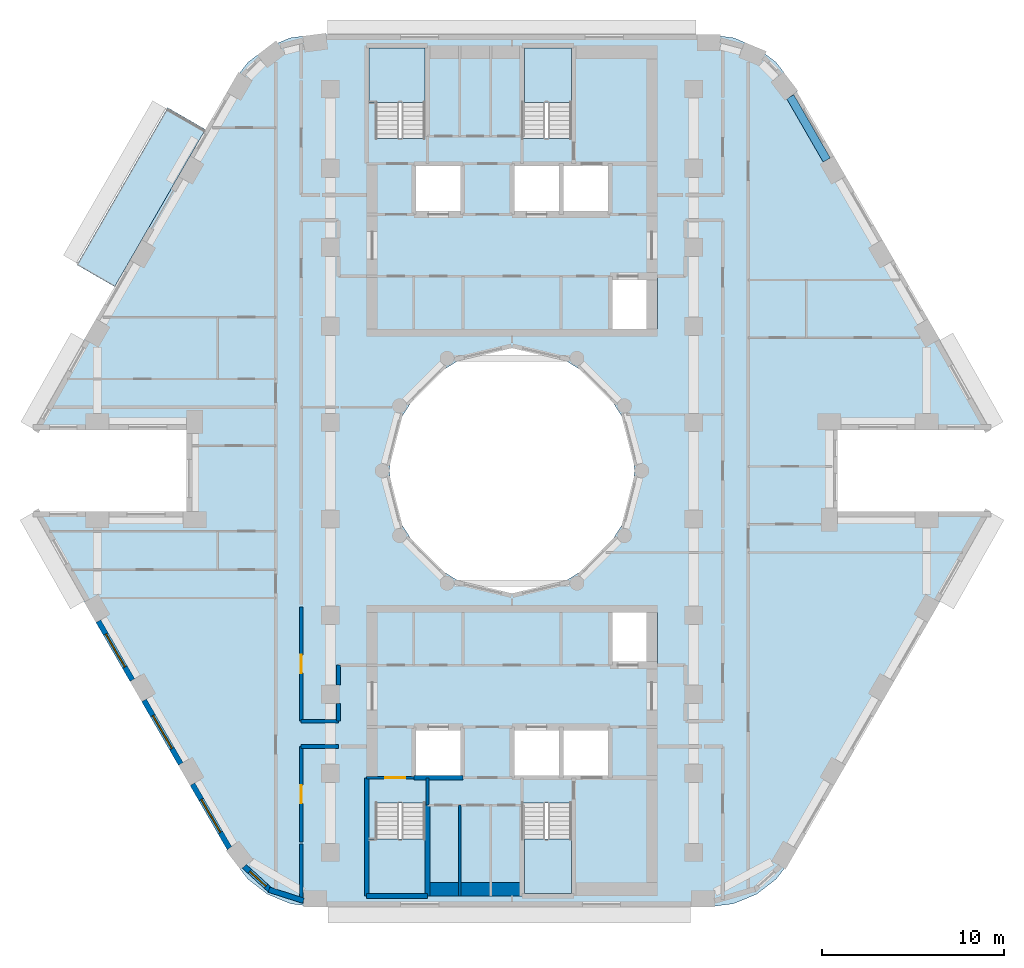
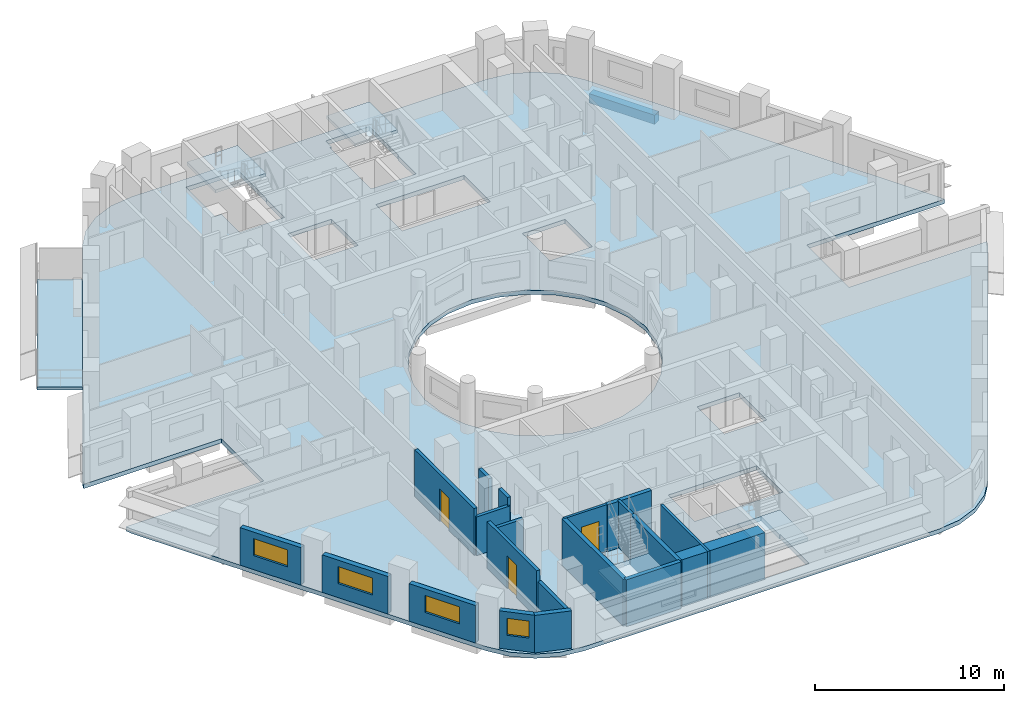
# One storey, part 2 of 13: 20 walls, 6 slabs, 4 windows, 3 doors, 1 beam, 7 openings, 4 elements without a shape of their own.
"""IFC4 building model written with IfcOpenShell, lengths in metres."""

from ifc_helpers import new_model, si_unit, direction, frame, frame_2d, origin, origin_2d, place, context, subcontext, project, spatial, polyline, rectangle, outline, extrude, material, layer, layer_set, material_profile, profile_set, type_object, element, fill, aggregate, save


model = new_model("IFC4")

# Units and contexts
model_context = context("Model", 3, precision=1e-05, world=origin(), true_north=direction((0.0, 1.0)))
body_context = subcontext(model_context, "Body", "Model", "MODEL_VIEW")
ifc_project = project(units=[si_unit("LENGTHUNIT", "METRE"), si_unit("AREAUNIT", "SQUARE_METRE"), si_unit("VOLUMEUNIT", "CUBIC_METRE"), si_unit("PLANEANGLEUNIT", "RADIAN"), si_unit("MASSUNIT", "GRAM", prefix="KILO")], contexts=[model_context])

# Site, building, storey
site_placement = place(None, origin())
site = spatial("IfcSite", under=ifc_project, at=site_placement, CompositionType="ELEMENT")
building_placement = place(site_placement, origin())
building = spatial("IfcBuilding", under=site, at=building_placement, Name="Nakaniwa Court", CompositionType="ELEMENT")
storey_placement = place(building_placement, frame((0.0, 0.0, 140.39990234375)))
storey = spatial("IfcBuildingStorey", under=building, at=storey_placement, Name="L36", CompositionType="ELEMENT", Elevation=140.39990234375)

# Beam
ifc_material_1 = material(Name="Concrete C80/100", Category="concrete")
ifc_material_profile = material_profile(ifc_material_1, rectangle(XDim=0.449951171875, YDim=0.60009765625, at=origin_2d()), Name="Concrete C80/100 RC 450x600 spandrel beam")
ifc_profile_set = profile_set([ifc_material_profile], Name="Concrete C80/100")
beam_type = type_object("IfcBeamType", Name="Concrete C80/100 RC 450x600 spandrel beam", PredefinedType="BEAM", material=ifc_profile_set)
beam_placement = place(storey_placement, frame((97.320556640625, 97.10009765625, -0.574951171875), z_axis=(-0.500018573463, 0.866014680125, 0.0), x_axis=(-0.866014680125, -0.500018573463, 0.0)))
element("IfcBeam", 1, at=beam_placement, inside=storey, type_object=beam_type, Name="SPANDREL BEAM", PredefinedType="BEAM", context=body_context, shape_type="SweptSolid", body=[
    extrude(rectangle(XDim=0.449951171875, YDim=0.60009765625, at=origin_2d()), origin(), (0.0, 0.0, 1.0), 4.020263671875),
])

# Slabs
ifc_material_2 = material(Name="Charcoal ceramic paver")
ifc_layer_1 = layer(ifc_material_2, 0.02, Name="Ceramic paver")
ifc_material_3 = material(Name="Cement sand screed")
ifc_layer_2 = layer(ifc_material_3, 0.03, Name="Falls screed")
ifc_material_4 = material(Name="Concrete C40/50", Category="concrete")
ifc_layer_3 = layer(ifc_material_4, 0.15, Name="Balcony slab")
ifc_layer_set_1 = layer_set([ifc_layer_1, ifc_layer_2, ifc_layer_3], Name="Concrete C40/50 balcony slab with ceramic paver finish")
slab_type_1 = type_object("IfcSlabType", Name="Balcony slab 200", PredefinedType="FLOOR", material=ifc_layer_set_1)
slab_1_placement = place(storey_placement, frame((0.0, 0.0, -0.25)))
element("IfcSlab", 2, at=slab_1_placement, inside=storey, type_object=slab_type_1, Name="L36 balcony 01", PredefinedType="FLOOR", context=body_context, shape_type="SweptSolid", body=[
    extrude(outline(polyline([(63.1298828125, 98.780029296875), (58.13671875, 90.1318359375), (56.058349609375, 91.331787109375), (61.051513671875, 99.97998046875), (63.1298828125, 98.780029296875)])), origin(), (0.0, 0.0, 1.0), 0.2001953125),
])
ifc_layer_4 = layer(ifc_material_1, 0.27490234375)
ifc_layer_set_2 = layer_set([ifc_layer_4], Name="Concrete C80/100")
slab_type_2 = type_object("IfcSlabType", Name="Concrete C80/100 post tensioned floor slab 275", PredefinedType="FLOOR", material=ifc_layer_set_2)
slab_2_placement = place(storey_placement, frame((0.0, 0.0, -0.27490234375)))
element("IfcSlab", 3, at=slab_2_placement, inside=storey, type_object=slab_type_2, Name="FLOOR SLAB", PredefinedType="FLOOR", context=body_context, shape_type="SweptSolid", body=[
    extrude(outline(polyline([(97.908447265625, 82.25), (106.356689453125, 82.25), (106.211669921875, 82.60009765625), (95.357421875, 101.39990234375), (94.531005859375, 102.47705078125), (93.4541015625, 103.30322265625), (92.199951171875, 103.82275390625), (90.854248046875, 104.0), (69.145751953125, 104.0), (67.800048828125, 103.82275390625), (66.5458984375, 103.30322265625), (65.468994140625, 102.47705078125), (64.642578125, 101.39990234375), (53.788330078125, 82.60009765625), (53.643310546875, 82.25), (62.091552734375, 82.25), (62.091552734375, 77.75), (53.643310546875, 77.75), (53.788330078125, 77.39990234375), (64.642578125, 58.60009765625), (65.468994140625, 57.52294921875), (66.5458984375, 56.69677734375), (67.800048828125, 56.17724609375), (69.145751953125, 56.0), (90.854248046875, 56.0), (92.199951171875, 56.17724609375), (93.4541015625, 56.69677734375), (94.531005859375, 57.52294921875), (95.357421875, 58.60009765625), (106.211669921875, 77.39990234375), (106.356689453125, 77.75), (97.908447265625, 77.75), (97.908447265625, 82.25)]), holes=[polyline([(81.501953125, 86.580810546875), (80.0, 86.75), (78.498046875, 86.580810546875), (77.0712890625, 86.08154296875), (75.79150390625, 85.27734375), (74.72265625, 84.20849609375), (73.91845703125, 82.9287109375), (73.419189453125, 81.501953125), (73.25, 80.0), (73.419189453125, 78.498046875), (73.91845703125, 77.0712890625), (74.72265625, 75.79150390625), (75.79150390625, 74.72265625), (77.0712890625, 73.91845703125), (78.498046875, 73.419189453125), (80.0, 73.25), (81.501953125, 73.419189453125), (82.9287109375, 73.91845703125), (84.20849609375, 74.72265625), (85.27734375, 75.79150390625), (86.08154296875, 77.0712890625), (86.580810546875, 78.498046875), (86.75, 80.0), (86.580810546875, 81.501953125), (86.08154296875, 82.9287109375), (85.27734375, 84.20849609375), (84.20849609375, 85.27734375), (82.9287109375, 86.08154296875), (81.501953125, 86.580810546875)]), polyline([(72.47509765625, 61.7099609375), (72.47509765625, 59.764892578125), (72.0849609375, 59.764892578125), (72.0849609375, 56.68505859375), (75.264892578125, 56.68505859375), (75.264892578125, 59.764892578125), (75.22509765625, 59.764892578125), (75.22509765625, 61.7099609375), (72.47509765625, 61.7099609375)]), polyline([(77.300048828125, 65.89990234375), (74.60009765625, 65.89990234375), (74.60009765625, 63.10009765625), (77.300048828125, 63.10009765625), (77.300048828125, 65.89990234375)]), polyline([(80.0, 65.89990234375), (80.0, 63.10009765625), (82.699951171875, 63.10009765625), (85.39990234375, 63.10009765625), (85.39990234375, 65.89990234375), (82.699951171875, 65.89990234375), (80.0, 65.89990234375)]), polyline([(77.300048828125, 96.89990234375), (74.60009765625, 96.89990234375), (74.60009765625, 94.10009765625), (77.300048828125, 94.10009765625), (77.300048828125, 96.89990234375)]), polyline([(80.0, 96.89990234375), (80.0, 94.10009765625), (82.699951171875, 94.10009765625), (85.39990234375, 94.10009765625), (85.39990234375, 96.89990234375), (82.699951171875, 96.89990234375), (80.0, 96.89990234375)]), polyline([(75.264892578125, 100.235107421875), (75.264892578125, 103.31494140625), (72.0849609375, 103.31494140625), (72.0849609375, 100.235107421875), (72.47509765625, 100.235107421875), (72.47509765625, 98.2900390625), (75.22509765625, 98.2900390625), (75.22509765625, 100.235107421875), (75.264892578125, 100.235107421875)]), polyline([(83.27490234375, 61.7099609375), (80.52490234375, 61.7099609375), (80.52490234375, 57.324951171875), (80.635009765625, 57.324951171875), (80.635009765625, 56.68505859375), (83.31494140625, 56.68505859375), (83.31494140625, 59.764892578125), (83.27490234375, 59.764892578125), (83.27490234375, 61.7099609375)]), polyline([(88.0, 72.199951171875), (85.39990234375, 72.199951171875), (85.39990234375, 69.300048828125), (88.0, 69.300048828125), (88.0, 72.199951171875)]), polyline([(88.0, 90.699951171875), (85.39990234375, 90.699951171875), (85.39990234375, 87.800048828125), (88.0, 87.800048828125), (88.0, 90.699951171875)]), polyline([(83.31494140625, 100.235107421875), (83.31494140625, 103.31494140625), (80.635009765625, 103.31494140625), (80.635009765625, 102.675048828125), (80.52490234375, 102.675048828125), (80.52490234375, 98.2900390625), (83.27490234375, 98.2900390625), (83.27490234375, 100.235107421875), (83.31494140625, 100.235107421875)])]), origin(), (0.0, 0.0, 1.0), 0.27490234375),
])

# Stair, slab
stair_type = type_object("IfcStairType", Name="Dog leg stair 1300 wide 18 risers", PredefinedType="HALF_TURN_STAIR", material=ifc_material_1)
stair_1_placement = place(storey_placement, origin())
stair_1 = element("IfcStair", 4, at=stair_1_placement, inside=storey, type_object=stair_type, Name="L36 Stair ST1", PredefinedType="HALF_TURN_STAIR")
ifc_layer_5 = layer(ifc_material_1, 0.199951171875)
ifc_layer_set_3 = layer_set([ifc_layer_5], Name="Concrete C80/100")
slab_type_3 = type_object("IfcSlabType", Name="Stair landing concrete", PredefinedType="LANDING", material=ifc_layer_set_3)
slab_3_placement = place(storey_placement, frame((0.0, 0.0, 1.4501953125)))
slab_3 = element("IfcSlab", 5, at=slab_3_placement, type_object=slab_type_3, Name="ST1 landing 1", PredefinedType="LANDING", context=body_context, shape_type="SweptSolid", body=[
    extrude(outline(polyline([(75.22509765625, 100.27490234375), (75.22509765625, 103.27490234375), (72.125, 103.27490234375), (72.125, 100.27490234375), (75.22509765625, 100.27490234375)])), origin(), (0.0, 0.0, 1.0), 0.199951171875),
])
aggregate(stair_1, [slab_3])

stair_2_placement = place(storey_placement, origin())
stair_2 = element("IfcStair", 6, at=stair_2_placement, inside=storey, type_object=stair_type, Name="L36 Stair ST2", PredefinedType="HALF_TURN_STAIR")
slab_4_placement = place(storey_placement, frame((0.0, 0.0, 1.4501953125)))
slab_4 = element("IfcSlab", 7, at=slab_4_placement, type_object=slab_type_3, Name="ST2 landing 1", PredefinedType="LANDING", context=body_context, shape_type="SweptSolid", body=[
    extrude(outline(polyline([(83.27490234375, 100.27490234375), (83.27490234375, 103.27490234375), (80.675048828125, 103.27490234375), (80.675048828125, 100.27490234375), (83.27490234375, 100.27490234375)])), origin(), (0.0, 0.0, 1.0), 0.199951171875),
])
aggregate(stair_2, [slab_4])

stair_3_placement = place(storey_placement, origin())
stair_3 = element("IfcStair", 8, at=stair_3_placement, inside=storey, type_object=stair_type, Name="L36 Stair ST3", PredefinedType="HALF_TURN_STAIR")
slab_5_placement = place(storey_placement, frame((0.0, 0.0, 1.4501953125)))
slab_5 = element("IfcSlab", 9, at=slab_5_placement, type_object=slab_type_3, Name="ST3 landing 1", PredefinedType="LANDING", context=body_context, shape_type="SweptSolid", body=[
    extrude(outline(polyline([(75.22509765625, 56.72509765625), (75.22509765625, 59.72509765625), (72.125, 59.72509765625), (72.125, 56.72509765625), (75.22509765625, 56.72509765625)])), origin(), (0.0, 0.0, 1.0), 0.199951171875),
])
aggregate(stair_3, [slab_5])

stair_4_placement = place(storey_placement, origin())
stair_4 = element("IfcStair", 10, at=stair_4_placement, inside=storey, type_object=stair_type, Name="L36 Stair ST4", PredefinedType="HALF_TURN_STAIR")
slab_6_placement = place(storey_placement, frame((0.0, 0.0, 1.4501953125)))
slab_6 = element("IfcSlab", 11, at=slab_6_placement, type_object=slab_type_3, Name="ST4 landing 1", PredefinedType="LANDING", context=body_context, shape_type="SweptSolid", body=[
    extrude(outline(polyline([(83.27490234375, 56.72509765625), (83.27490234375, 59.72509765625), (80.675048828125, 59.72509765625), (80.675048828125, 56.72509765625), (83.27490234375, 56.72509765625)])), origin(), (0.0, 0.0, 1.0), 0.199951171875),
])
aggregate(stair_4, [slab_6])

# Walls
ifc_material_5 = material(Name="Acoustic double stud partition")
ifc_layer_6 = layer(ifc_material_5, 0.199951171875)
ifc_layer_set_4 = layer_set([ifc_layer_6], Name="Acoustic double stud partition")
wall_type_1 = type_object("IfcWallType", Name="Acoustic double stud partition 200", PredefinedType="PARTITIONING", material=ifc_layer_set_4)
wall_1_placement = place(storey_placement, frame((68.39990234375, 64.824951171875, 0.0), z_axis=(0.0, 0.0, 1.0), x_axis=(1.0, 0.0, 0.0)))
element("IfcWall", 12, at=wall_1_placement, inside=storey, type_object=wall_type_1, Name="Partition PW-079", PredefinedType="PARTITIONING", context=body_context, shape_type="SweptSolid", body=[
    extrude(rectangle(XDim=2.06298828125, YDim=0.199951171875, at=frame_2d((1.031494140625, 0.0))), origin(), (0.0, 0.0, 1.0), 2.505126953125),
])
wall_2_placement = place(storey_placement, frame((68.39990234375, 66.22509765625, 0.0), z_axis=(0.0, 0.0, 1.0), x_axis=(1.0, 0.0, 0.0)))
element("IfcWall", 13, at=wall_2_placement, inside=storey, type_object=wall_type_1, Name="Partition PW-090", PredefinedType="PARTITIONING", context=body_context, shape_type="SweptSolid", body=[
    extrude(rectangle(XDim=2.050048828125, YDim=0.199951171875, at=frame_2d((1.02490234375, 0.0))), origin(), (0.0, 0.0, 1.0), 2.505126953125),
])
wall_3_placement = place(storey_placement, frame((68.39990234375, 56.40087890625, 0.0), z_axis=(0.0, 0.0, 1.0), x_axis=(0.0, 1.0, 0.0)))
element("IfcWall", 14, at=wall_3_placement, inside=storey, type_object=wall_type_1, Name="Partition PW-100", PredefinedType="PARTITIONING", context=body_context, shape_type="SweptSolid", body=[
    extrude(rectangle(XDim=3.06201171875, YDim=0.199951171875, at=frame_2d((1.531005859375, 0.0))), origin(), (0.0, 0.0, 1.0), 2.405029296875),
])

# Wall, opening, door
wall_4_placement = place(storey_placement, frame((68.39990234375, 64.824951171875, 0.0), z_axis=(0.0, 0.0, 1.0), x_axis=(0.0, -1.0, 0.0)))
wall_4 = element("IfcWall", 15, at=wall_4_placement, inside=storey, type_object=wall_type_1, Name="Partition PW-101", PredefinedType="PARTITIONING", context=body_context, shape_type="SweptSolid", body=[
    extrude(rectangle(XDim=5.247802734375, YDim=0.199951171875, at=frame_2d((2.6240234375, 0.0))), origin(), (0.0, 0.0, 1.0), 3.025146484375),
])
opening_1_placement = place(wall_4_placement, frame((2.123046875, 0.0, 0.0)))
opening_1 = element("IfcOpeningElement", 16, at=opening_1_placement, cuts=wall_4, Name="Opening D-02-05", PredefinedType="OPENING", context=body_context, shape_type="SweptSolid", body=[
    extrude(rectangle(XDim=1.0, YDim=2.10009765625, at=frame_2d((0.5, 1.050048828125))), frame((0.0, 0.10986328125, 0.0), z_axis=(0.0, -1.0, 0.0), x_axis=(1.0, 0.0, 0.0)), (0.0, 0.0, 1.0), 0.219970703125),
])
ifc_material_6 = material(Name="Solid core timber door set, black veneer", Category="wood")
door_type_1 = type_object("IfcDoorType", Name="Internal door 1000", OperationType="NOTDEFINED", PredefinedType="DOOR", material=ifc_material_6)
door_1_placement = place(opening_1_placement, origin())
door_1 = element("IfcDoor", 17, at=door_1_placement, inside=storey, type_object=door_type_1, Name="Door D-02-05 L36-036", OperationType="SINGLE_SWING_LEFT", OverallHeight=2.10009765625, OverallWidth=1.0, PredefinedType="DOOR", context=body_context, shape_type="SweptSolid", body=[
    extrude(rectangle(XDim=1.0, YDim=2.10009765625, at=frame_2d((0.5, 1.050048828125))), frame((0.0, 0.02490234375, 0.0), z_axis=(0.0, -1.0, 0.0), x_axis=(1.0, 0.0, 0.0)), (0.0, 0.0, 1.0), 0.050048828125),
])
fill(opening_1, door_1)

wall_5_placement = place(storey_placement, frame((68.39990234375, 72.5126953125, 0.0), z_axis=(0.0, 0.0, 1.0), x_axis=(0.0, -1.0, 0.0)))
wall_5 = element("IfcWall", 18, at=wall_5_placement, inside=storey, type_object=wall_type_1, Name="Partition PW-102", PredefinedType="PARTITIONING", context=body_context, shape_type="SweptSolid", body=[
    extrude(rectangle(XDim=6.28759765625, YDim=0.199951171875, at=frame_2d((3.143798828125, 0.0))), origin(), (0.0, 0.0, 1.0), 3.025146484375),
])
opening_2_placement = place(wall_5_placement, frame((2.64501953125, 0.0, 0.0)))
opening_2 = element("IfcOpeningElement", 19, at=opening_2_placement, cuts=wall_5, Name="Opening D-02-07", PredefinedType="OPENING", context=body_context, shape_type="SweptSolid", body=[
    extrude(rectangle(XDim=1.0, YDim=2.10009765625, at=frame_2d((0.5, 1.050048828125))), frame((0.0, 0.10986328125, 0.0), z_axis=(0.0, -1.0, 0.0), x_axis=(1.0, 0.0, 0.0)), (0.0, 0.0, 1.0), 0.219970703125),
])
door_2_placement = place(opening_2_placement, origin())
door_2 = element("IfcDoor", 20, at=door_2_placement, inside=storey, type_object=door_type_1, Name="Door D-02-07 L36-038", OperationType="SINGLE_SWING_LEFT", OverallHeight=2.10009765625, OverallWidth=1.0, PredefinedType="DOOR", context=body_context, shape_type="SweptSolid", body=[
    extrude(rectangle(XDim=1.0, YDim=2.10009765625, at=frame_2d((0.5, 1.050048828125))), frame((0.0, 0.02490234375, 0.0), z_axis=(0.0, -1.0, 0.0), x_axis=(1.0, 0.0, 0.0)), (0.0, 0.0, 1.0), 0.050048828125),
])
fill(opening_2, door_2)

# Walls
wall_6_placement = place(storey_placement, frame((70.449951171875, 66.22509765625, 0.0), z_axis=(0.0, 0.0, 1.0), x_axis=(0.0, 1.0, 0.0)))
element("IfcWall", 21, at=wall_6_placement, inside=storey, type_object=wall_type_1, Name="Partition PW-109", PredefinedType="PARTITIONING", context=body_context, shape_type="SweptSolid", body=[
    extrude(rectangle(XDim=0.957763671875, YDim=0.199951171875, at=frame_2d((0.47900390625, 0.0))), origin(), (0.0, 0.0, 1.0), 3.025146484375),
])
wall_7_placement = place(storey_placement, frame((70.449951171875, 68.21728515625, 0.0), z_axis=(0.0, 0.0, 1.0), x_axis=(0.0, 1.0, 0.0)))
element("IfcWall", 22, at=wall_7_placement, inside=storey, type_object=wall_type_1, Name="Partition PW-110", PredefinedType="PARTITIONING", context=body_context, shape_type="SweptSolid", body=[
    extrude(rectangle(XDim=1.082763671875, YDim=0.199951171875, at=frame_2d((0.54150390625, 0.0))), origin(), (0.0, 0.0, 1.0), 3.025146484375),
])

# Wall, opening, window
ifc_material_7 = material(Name="Charcoal ceramic cladding")
ifc_layer_7 = layer(ifc_material_7, 0.02, Name="Ceramic cladding")
ifc_material_8 = material(Name="Ventilated air cavity")
ifc_layer_8 = layer(ifc_material_8, 0.04, ventilated=True, Name="Ventilated cavity")
ifc_material_9 = material(Name="Mineral wool insulation")
ifc_layer_9 = layer(ifc_material_9, 0.1, Name="Insulation")
ifc_material_10 = material(Name="Cement bonded sheathing board")
ifc_layer_10 = layer(ifc_material_10, 0.012, Name="Sheathing")
ifc_material_11 = material(Name="Cold-formed galvanised stud frame with mineral wool infill")
ifc_layer_11 = layer(ifc_material_11, 0.1, Name="Stud frame")
ifc_material_12 = material(Name="Fire-rated gypsum plasterboard lining")
ifc_layer_12 = layer(ifc_material_12, 0.028, Name="Lining")
ifc_layer_set_5 = layer_set([ifc_layer_7, ifc_layer_8, ifc_layer_9, ifc_layer_10, ifc_layer_11, ifc_layer_12], Name="Charcoal ceramic faced external wall system")
wall_type_2 = type_object("IfcWallType", Name="Black ceramic faced external wall 300", PredefinedType="SOLIDWALL", material=ifc_layer_set_5)
wall_8_placement = place(storey_placement, frame((57.240478515625, 71.720947265625, 0.0), z_axis=(0.0, 0.0, 1.0), x_axis=(0.499933594891, -0.866063739398, 0.0)))
wall_8 = element("IfcWall", 23, at=wall_8_placement, inside=storey, type_object=wall_type_2, Name="L36 external wall 21", PredefinedType="SOLIDWALL", context=body_context, shape_type="SweptSolid", body=[
    extrude(rectangle(XDim=3.73681640625, YDim=0.300048828125, at=frame_2d((1.868408203125, 0.0))), origin(), (0.0, 0.0, 1.0), 2.425048828125),
])
opening_3_placement = place(wall_8_placement, frame((0.818359375, 0.0, 0.89990234375)))
opening_3 = element("IfcOpeningElement", 24, at=opening_3_placement, cuts=wall_8, Name="Opening W7.23", PredefinedType="OPENING", context=body_context, shape_type="SweptSolid", body=[
    extrude(rectangle(XDim=2.10009765625, YDim=1.10009765625, at=frame_2d((1.050048828125, 0.550048828125))), frame((0.0, 0.159912109375, 0.0), z_axis=(0.0, -1.0, 0.0), x_axis=(1.0, 0.0, 0.0)), (0.0, 0.0, 1.0), 0.320068359375),
])
ifc_material_13 = material(Name="Black anodised aluminium frame with dark low-E laminated double glazing", Category="aluminium")
window_type_1 = type_object("IfcWindowType", Name="Dark glass window 2100x1100 sill 900", PartitioningType="SINGLE_PANEL", PredefinedType="WINDOW", material=ifc_material_13)
window_1_placement = place(opening_3_placement, origin())
window_1 = element("IfcWindow", 25, at=window_1_placement, inside=storey, type_object=window_type_1, Name="L36 habitable room window 21-0", OverallHeight=1.10009765625, OverallWidth=2.10009765625, PartitioningType="SINGLE_PANEL", PredefinedType="WINDOW", context=body_context, shape_type="SweptSolid", body=[
    extrude(rectangle(XDim=2.10009765625, YDim=1.10009765625, at=frame_2d((1.050048828125, 0.550048828125))), frame((0.0, 0.030029296875, 0.0), z_axis=(0.0, -1.0, 0.0), x_axis=(1.0, 0.0, 0.0)), (0.0, 0.0, 1.0), 0.06005859375),
])
fill(opening_3, window_1)

wall_9_placement = place(storey_placement, frame((59.754638671875, 67.36572265625, 0.0), z_axis=(0.0, 0.0, 1.0), x_axis=(0.500031546601, -0.86600718958, 0.0)))
wall_9 = element("IfcWall", 26, at=wall_9_placement, inside=storey, type_object=wall_type_2, Name="L36 external wall 22", PredefinedType="SOLIDWALL", context=body_context, shape_type="SweptSolid", body=[
    extrude(rectangle(XDim=4.033935546875, YDim=0.300048828125, at=frame_2d((2.01708984375, 0.0))), origin(), (0.0, 0.0, 1.0), 2.425048828125),
])
opening_4_placement = place(wall_9_placement, frame((0.966796875, 0.0, 0.89990234375)))
opening_4 = element("IfcOpeningElement", 27, at=opening_4_placement, cuts=wall_9, Name="Opening W7.24", PredefinedType="OPENING", context=body_context, shape_type="SweptSolid", body=[
    extrude(rectangle(XDim=2.10009765625, YDim=1.10009765625, at=frame_2d((1.050048828125, 0.550048828125))), frame((0.0, 0.159912109375, 0.0), z_axis=(0.0, -1.0, 0.0), x_axis=(1.0, 0.0, 0.0)), (0.0, 0.0, 1.0), 0.320068359375),
])
window_2_placement = place(opening_4_placement, origin())
window_2 = element("IfcWindow", 28, at=window_2_placement, inside=storey, type_object=window_type_1, Name="L36 habitable room window 22-0", OverallHeight=1.10009765625, OverallWidth=2.10009765625, PartitioningType="SINGLE_PANEL", PredefinedType="WINDOW", context=body_context, shape_type="SweptSolid", body=[
    extrude(rectangle(XDim=2.10009765625, YDim=1.10009765625, at=frame_2d((1.050048828125, 0.550048828125))), frame((0.0, 0.030029296875, 0.0), z_axis=(0.0, -1.0, 0.0), x_axis=(1.0, 0.0, 0.0)), (0.0, 0.0, 1.0), 0.06005859375),
])
fill(opening_4, window_2)

wall_10_placement = place(storey_placement, frame((62.417724609375, 62.75341796875, 0.0), z_axis=(0.0, 0.0, 1.0), x_axis=(0.500018589245, -0.866014671013, 0.0)))
wall_10 = element("IfcWall", 29, at=wall_10_placement, inside=storey, type_object=wall_type_2, Name="L36 external wall 23", PredefinedType="SOLIDWALL", context=body_context, shape_type="SweptSolid", body=[
    extrude(rectangle(XDim=4.067626953125, YDim=0.300048828125, at=frame_2d((2.03369140625, 0.0))), origin(), (0.0, 0.0, 1.0), 2.425048828125),
])
opening_5_placement = place(wall_10_placement, frame((0.97265625, 0.0, 0.89990234375)))
opening_5 = element("IfcOpeningElement", 30, at=opening_5_placement, cuts=wall_10, Name="Opening W7.25", PredefinedType="OPENING", context=body_context, shape_type="SweptSolid", body=[
    extrude(rectangle(XDim=2.10009765625, YDim=1.10009765625, at=frame_2d((1.050048828125, 0.550048828125))), frame((0.0, 0.159912109375, 0.0), z_axis=(0.0, -1.0, 0.0), x_axis=(1.0, 0.0, 0.0)), (0.0, 0.0, 1.0), 0.320068359375),
])
window_3_placement = place(opening_5_placement, origin())
window_3 = element("IfcWindow", 31, at=window_3_placement, inside=storey, type_object=window_type_1, Name="L36 habitable room window 23-0", OverallHeight=1.10009765625, OverallWidth=2.10009765625, PartitioningType="SINGLE_PANEL", PredefinedType="WINDOW", context=body_context, shape_type="SweptSolid", body=[
    extrude(rectangle(XDim=2.10009765625, YDim=1.10009765625, at=frame_2d((1.050048828125, 0.550048828125))), frame((0.0, 0.030029296875, 0.0), z_axis=(0.0, -1.0, 0.0), x_axis=(1.0, 0.0, 0.0)), (0.0, 0.0, 1.0), 0.06005859375),
])
fill(opening_5, window_3)

wall_11_placement = place(storey_placement, frame((65.26904296875, 58.229248046875, 0.0), z_axis=(0.0, 0.0, 1.0), x_axis=(0.737487298625, -0.675361002995, 0.0)))
wall_11 = element("IfcWall", 32, at=wall_11_placement, inside=storey, type_object=wall_type_2, Name="L36 external wall 24", PredefinedType="SOLIDWALL", context=body_context, shape_type="SweptSolid", body=[
    extrude(rectangle(XDim=1.9765625, YDim=0.300048828125, at=frame_2d((0.98828125, 0.0))), origin(), (0.0, 0.0, 1.0), 2.425048828125),
])
opening_6_placement = place(wall_11_placement, frame((0.41552734375, 0.0, 0.89990234375)))
opening_6 = element("IfcOpeningElement", 33, at=opening_6_placement, cuts=wall_11, Name="Opening W6.26", PredefinedType="OPENING", context=body_context, shape_type="SweptSolid", body=[
    extrude(rectangle(XDim=1.199951171875, YDim=1.10009765625, at=frame_2d((0.60009765625, 0.550048828125))), frame((0.0, 0.159912109375, 0.0), z_axis=(0.0, -1.0, 0.0), x_axis=(1.0, 0.0, 0.0)), (0.0, 0.0, 1.0), 0.320068359375),
])
window_type_2 = type_object("IfcWindowType", Name="Dark glass window 1200x1100 sill 900", PartitioningType="SINGLE_PANEL", PredefinedType="WINDOW", material=ifc_material_13)
window_4_placement = place(opening_6_placement, origin())
window_4 = element("IfcWindow", 34, at=window_4_placement, inside=storey, type_object=window_type_2, Name="L36 habitable room window 24-0", OverallHeight=1.10009765625, OverallWidth=1.199951171875, PartitioningType="SINGLE_PANEL", PredefinedType="WINDOW", context=body_context, shape_type="SweptSolid", body=[
    extrude(rectangle(XDim=1.199951171875, YDim=1.10009765625, at=frame_2d((0.60009765625, 0.550048828125))), frame((0.0, 0.030029296875, 0.0), z_axis=(0.0, -1.0, 0.0), x_axis=(1.0, 0.0, 0.0)), (0.0, 0.0, 1.0), 0.06005859375),
])
fill(opening_6, window_4)

# Walls
wall_12_placement = place(storey_placement, frame((66.625732421875, 56.94580078125, 0.0), z_axis=(0.0, 0.0, 1.0), x_axis=(0.952201240673, -0.305471434444, 0.0)))
element("IfcWall", 35, at=wall_12_placement, inside=storey, type_object=wall_type_2, Name="L36 external wall 25", PredefinedType="SOLIDWALL", context=body_context, shape_type="SweptSolid", body=[
    extrude(rectangle(XDim=1.998779296875, YDim=0.300048828125, at=frame_2d((0.99951171875, 0.0))), origin(), (0.0, 0.0, 1.0), 2.425048828125),
])
ifc_material_14 = material(Name="Blockwork partition", Category="masonry")
ifc_layer_13 = layer(ifc_material_14, 0.14990234375)
ifc_layer_set_6 = layer_set([ifc_layer_13], Name="Blockwork partition")
wall_type_3 = type_object("IfcWallType", Name="Blockwork partition 150", PredefinedType="PARTITIONING", material=ifc_layer_set_6)
wall_13_placement = place(storey_placement, frame((77.117919921875, 56.60009765625, 0.0), z_axis=(0.0, 0.0, 1.0), x_axis=(0.0, 1.0, 0.0)))
element("IfcWall", 36, at=wall_13_placement, inside=storey, type_object=wall_type_3, Name="Partition PW-069", PredefinedType="PARTITIONING", context=body_context, shape_type="SweptSolid", body=[
    extrude(rectangle(XDim=5.0, YDim=0.14990234375, at=frame_2d((2.5, 0.0))), origin(), (0.0, 0.0, 1.0), 3.025146484375),
])

# Wall, opening, door
ifc_layer_14 = layer(ifc_material_1, 0.14990234375)
ifc_layer_set_7 = layer_set([ifc_layer_14], Name="Concrete C80/100")
wall_type_4 = type_object("IfcWallType", Name="Concrete core wall 150 C80", PredefinedType="SHEAR", material=ifc_layer_set_7)
wall_14_placement = place(storey_placement, frame((72.0, 63.10009765625, -0.27490234375), z_axis=(0.0, 0.0, 1.0), x_axis=(1.0, 0.0, 0.0)))
wall_14 = element("IfcWall", 37, at=wall_14_placement, inside=storey, type_object=wall_type_4, Name="Core wall SW-51", PredefinedType="SHEAR", context=body_context, shape_type="SweptSolid", body=[
    extrude(rectangle(XDim=2.60009765625, YDim=0.14990234375, at=frame_2d((1.300048828125, 0.0))), origin(), (0.0, 0.0, 1.0), 3.300048828125),
])
opening_7_placement = place(wall_14_placement, frame((1.02001953125, 0.0, 0.27490234375)))
opening_7 = element("IfcOpeningElement", 38, at=opening_7_placement, cuts=wall_14, Name="Opening D-09-02", PredefinedType="OPENING", context=body_context, shape_type="SweptSolid", body=[
    extrude(rectangle(XDim=1.10009765625, YDim=2.10009765625, at=frame_2d((0.550048828125, 1.050048828125))), frame((0.0, 0.0849609375, 0.0), z_axis=(0.0, -1.0, 0.0), x_axis=(1.0, 0.0, 0.0)), (0.0, 0.0, 1.0), 0.169921875),
])
ifc_material_15 = material(Name="Fire rated steel door set", Category="steel")
door_type_2 = type_object("IfcDoorType", Name="Stair door 1100", OperationType="NOTDEFINED", PredefinedType="DOOR", material=ifc_material_15)
door_3_placement = place(opening_7_placement, origin())
door_3 = element("IfcDoor", 39, at=door_3_placement, inside=storey, type_object=door_type_2, Name="Door D-09-02 L36-025", OperationType="SINGLE_SWING_LEFT", OverallHeight=2.10009765625, OverallWidth=1.10009765625, PredefinedType="DOOR", context=body_context, shape_type="SweptSolid", body=[
    extrude(rectangle(XDim=1.10009765625, YDim=2.10009765625, at=frame_2d((0.550048828125, 1.050048828125))), frame((0.0, 0.02490234375, 0.0), z_axis=(0.0, -1.0, 0.0), x_axis=(1.0, 0.0, 0.0)), (0.0, 0.0, 1.0), 0.050048828125),
])
fill(opening_7, door_3)

# Walls
wall_15_placement = place(storey_placement, frame((75.35009765625, 61.596923828125, -0.27490234375), z_axis=(0.0, 0.0, 1.0), x_axis=(0.0, 1.0, 0.0)))
element("IfcWall", 40, at=wall_15_placement, inside=storey, type_object=wall_type_4, Name="Core wall SW-58", PredefinedType="SHEAR", context=body_context, shape_type="SweptSolid", body=[
    extrude(rectangle(XDim=1.503173828125, YDim=0.14990234375, at=frame_2d((0.75146484375, 0.0))), origin(), (0.0, 0.0, 1.0), 3.300048828125),
])
ifc_layer_15 = layer(ifc_material_1, 0.25)
ifc_layer_set_8 = layer_set([ifc_layer_15], Name="Concrete C80/100")
wall_type_5 = type_object("IfcWallType", Name="Concrete core wall 250 C80", PredefinedType="SHEAR", material=ifc_layer_set_8)
wall_16_placement = place(storey_placement, frame((72.0, 56.60009765625, -0.27490234375), z_axis=(0.0, 0.0, 1.0), x_axis=(0.0, 1.0, 0.0)))
element("IfcWall", 41, at=wall_16_placement, inside=storey, type_object=wall_type_5, Name="Core wall SW-60", PredefinedType="SHEAR", context=body_context, shape_type="SweptSolid", body=[
    extrude(rectangle(XDim=6.5, YDim=0.25, at=frame_2d((3.25, 0.0))), origin(), (0.0, 0.0, 1.0), 3.300048828125),
])
wall_17_placement = place(storey_placement, frame((72.0, 56.60009765625, -0.27490234375), z_axis=(0.0, 0.0, 1.0), x_axis=(1.0, 0.0, 0.0)))
element("IfcWall", 42, at=wall_17_placement, inside=storey, type_object=wall_type_5, Name="Core wall SW-61", PredefinedType="SHEAR", context=body_context, shape_type="SweptSolid", body=[
    extrude(rectangle(XDim=3.35009765625, YDim=0.25, at=frame_2d((1.675048828125, 0.0))), origin(), (0.0, 0.0, 1.0), 3.300048828125),
])
ifc_layer_16 = layer(ifc_material_1, 0.75)
ifc_layer_set_9 = layer_set([ifc_layer_16], Name="Concrete C80/100")
wall_type_6 = type_object("IfcWallType", Name="Concrete core wall 750 C80", PredefinedType="SHEAR", material=ifc_layer_set_9)
wall_18_placement = place(storey_placement, frame((75.35009765625, 56.97509765625, -0.27490234375), z_axis=(0.0, 0.0, 1.0), x_axis=(1.0, 0.0, 0.0)))
element("IfcWall", 43, at=wall_18_placement, inside=storey, type_object=wall_type_6, Name="Core wall SW-66", PredefinedType="SHEAR", context=body_context, shape_type="SweptSolid", body=[
    extrude(rectangle(XDim=5.199951171875, YDim=0.75, at=frame_2d((2.60009765625, 0.0))), origin(), (0.0, 0.0, 1.0), 3.300048828125),
])
ifc_layer_17 = layer(ifc_material_1, 0.25)
ifc_layer_set_10 = layer_set([ifc_layer_17], Name="Concrete C80/100")
wall_type_7 = type_object("IfcWallType", Name="Concrete shaft wall 250 C80", PredefinedType="SHEAR", material=ifc_layer_set_10)
wall_19_placement = place(storey_placement, frame((74.60009765625, 63.10009765625, -0.27490234375), z_axis=(0.0, 0.0, 1.0), x_axis=(1.0, 0.0, 0.0)))
element("IfcWall", 44, at=wall_19_placement, inside=storey, type_object=wall_type_7, Name="Core wall SW-53", PredefinedType="SHEAR", context=body_context, shape_type="SweptSolid", body=[
    extrude(rectangle(XDim=2.699951171875, YDim=0.25, at=frame_2d((1.35009765625, 0.0))), origin(), (0.0, 0.0, 1.0), 3.300048828125),
])
wall_20_placement = place(storey_placement, frame((75.35009765625, 56.60009765625, -0.27490234375), z_axis=(0.0, 0.0, 1.0), x_axis=(0.0, 1.0, 0.0)))
element("IfcWall", 45, at=wall_20_placement, inside=storey, type_object=wall_type_7, Name="Core wall SW-59", PredefinedType="SHEAR", context=body_context, shape_type="SweptSolid", body=[
    extrude(rectangle(XDim=5.0029296875, YDim=0.25, at=frame_2d((2.50146484375, 0.0))), origin(), (0.0, 0.0, 1.0), 3.300048828125),
])

save(model, "model.ifc")
